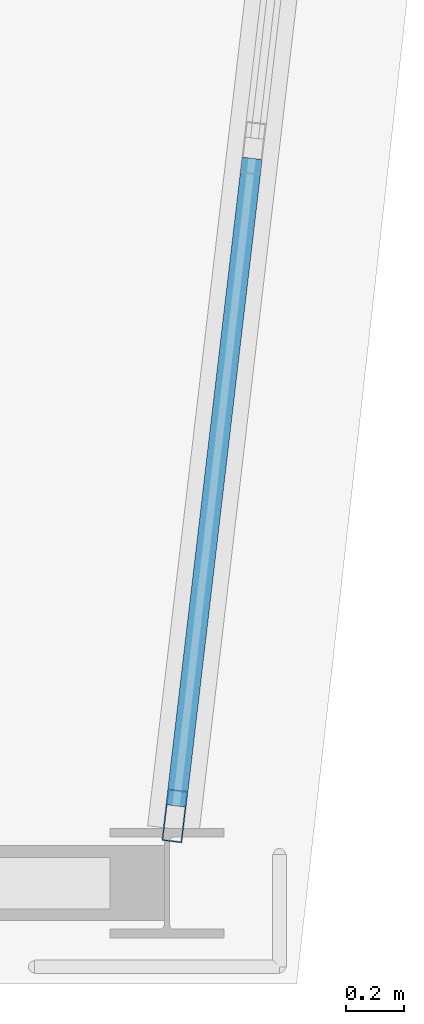
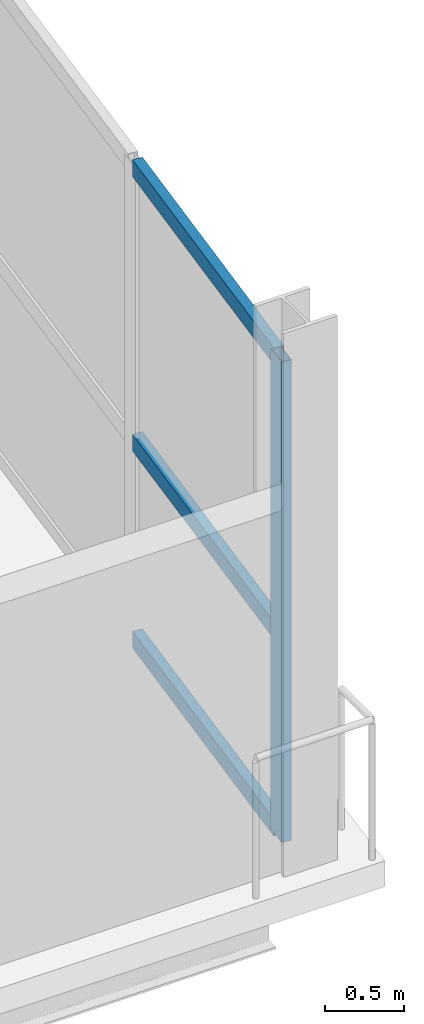
# One storey, part 4 of 36: 4 members, 1 element without a shape of its own.
"""IFC4 building model written with IfcOpenShell, lengths in metres."""

from ifc_helpers import new_model, si_unit, direction, frame, origin, origin_2d, place, context, subcontext, project, spatial, hollow_rectangle, extrude, material, layer, layer_set, material_profile, profile_set, type_object, element, aggregate, save


model = new_model("IFC4")

# Units and contexts
model_context = context("Model", 3, precision=1e-05, world=origin(), true_north=direction((0.0, 1.0)))
body_context = subcontext(model_context, "Body", "Model", "MODEL_VIEW")
ifc_project = project(units=[si_unit("LENGTHUNIT", "METRE"), si_unit("AREAUNIT", "SQUARE_METRE"), si_unit("VOLUMEUNIT", "CUBIC_METRE"), si_unit("PLANEANGLEUNIT", "RADIAN"), si_unit("MASSUNIT", "GRAM", prefix="KILO")], contexts=[model_context])

# Site, building, storey
site_placement = place(None, origin())
site = spatial("IfcSite", under=ifc_project, at=site_placement, CompositionType="ELEMENT")
building_placement = place(site_placement, origin())
building = spatial("IfcBuilding", under=site, at=building_placement, Name="Quillay Park Conservatory", CompositionType="ELEMENT")
storey_placement = place(building_placement, frame((0.0, 0.0, 18.300048828125)))
storey = spatial("IfcBuildingStorey", under=building, at=storey_placement, Name="L04", CompositionType="ELEMENT", Elevation=18.300048828125)

# Curtain wall, members
ifc_material_1 = material(Name="Thermally Broken Anodised Aluminium 6063-T6", Category="aluminium")
ifc_layer = layer(ifc_material_1, 0.179931640625)
ifc_layer_set = layer_set([ifc_layer], Name="UNITISED CURTAIN WALL TOWER (Thermally Broken Anodised Aluminium 6063-T6)")
curtain_wall_type = type_object("IfcCurtainWallType", Name="UNITISED CURTAIN WALL TOWER", PredefinedType="USERDEFINED", material=ifc_layer_set)
curtain_wall_placement = place(storey_placement, origin())
curtain_wall = element("IfcCurtainWall", 1, at=curtain_wall_placement, inside=storey, type_object=curtain_wall_type, Name="L04 Unitised Curtain Wall 038", ObjectType="UNITISED CURTAIN WALL", PredefinedType="USERDEFINED")
ifc_material_2 = material(Name="Thermally Broken Anodised Aluminium 6063-T6", Category="aluminium")
ifc_material_profile_1 = material_profile(ifc_material_2, hollow_rectangle(XDim=0.070068359375, YDim=0.179931640625, WallThickness=0.00390625, at=origin_2d()), Name="AL70x180x4")
ifc_profile_set_1 = profile_set([ifc_material_profile_1], Name="Thermally Broken Anodised Aluminium 6063-T6")
member_type_1 = type_object("IfcMemberType", Name="CURTAIN WALL MULLION 70 X180", PredefinedType="MULLION", material=ifc_profile_set_1)
member_1_placement = place(storey_placement, frame((27.952392578125, 63.283447265625, 0.0), z_axis=(0.0, 0.0, 1.0), x_axis=(0.993172502804, -0.116654959918, 0.0)))
member_1 = element("IfcMember", 2, at=member_1_placement, type_object=member_type_1, Name="CW-T1 mullion 4", PredefinedType="MULLION", context=body_context, shape_type="SweptSolid", body=[
    extrude(hollow_rectangle(XDim=0.070068359375, YDim=0.179931640625, WallThickness=0.00390625, at=origin_2d()), origin(), (0.0, 0.0, 1.0), 3.7119140625),
])
ifc_material_3 = material(Name="Thermally Broken Anodised Aluminium 6063-T6", Category="aluminium")
ifc_material_profile_2 = material_profile(ifc_material_3, hollow_rectangle(XDim=0.070068359375, YDim=0.1298828125, WallThickness=0.003173828125, at=origin_2d()), Name="AL70x130x3.2")
ifc_profile_set_2 = profile_set([ifc_material_profile_2], Name="Thermally Broken Anodised Aluminium 6063-T6")
member_type_2 = type_object("IfcMemberType", Name="CURTAIN WALL TRANSOM 70 X130", PredefinedType="USERDEFINED", material=ifc_profile_set_2)
member_2_placement = place(storey_placement, frame((28.220458984375, 65.564697265625, 0.034912109375), z_axis=(-0.116672168054, -0.993170481439, 0.0), x_axis=(0.993170481439, -0.116672168054, 0.0)))
member_2 = element("IfcMember", 3, at=member_2_placement, type_object=member_type_2, Name="CW-T1 transom 3.1", ObjectType="TRANSOM", PredefinedType="USERDEFINED", context=body_context, shape_type="SweptSolid", body=[
    extrude(hollow_rectangle(XDim=0.070068359375, YDim=0.1298828125, WallThickness=0.003173828125, at=origin_2d()), origin(), (0.0, 0.0, 1.0), 2.261962890625),
])
member_3_placement = place(storey_placement, frame((28.220458984375, 65.564697265625, 1.558837890625), z_axis=(-0.116672168054, -0.993170481439, 0.0), x_axis=(0.993170481439, -0.116672168054, 0.0)))
member_3 = element("IfcMember", 4, at=member_3_placement, type_object=member_type_2, Name="CW-T1 transom 3.2", ObjectType="TRANSOM", PredefinedType="USERDEFINED", context=body_context, shape_type="SweptSolid", body=[
    extrude(hollow_rectangle(XDim=0.070068359375, YDim=0.1298828125, WallThickness=0.003173828125, at=origin_2d()), origin(), (0.0, 0.0, 1.0), 2.261962890625),
])
member_4_placement = place(storey_placement, frame((28.220458984375, 65.564697265625, 3.677001953125), z_axis=(-0.116672168054, -0.993170481439, 0.0), x_axis=(0.993170481439, -0.116672168054, 0.0)))
member_4 = element("IfcMember", 5, at=member_4_placement, type_object=member_type_2, Name="CW-T1 transom 3.3", ObjectType="TRANSOM", PredefinedType="USERDEFINED", context=body_context, shape_type="SweptSolid", body=[
    extrude(hollow_rectangle(XDim=0.070068359375, YDim=0.1298828125, WallThickness=0.003173828125, at=origin_2d()), origin(), (0.0, 0.0, 1.0), 2.261962890625),
])
aggregate(curtain_wall, [member_1, member_2, member_3, member_4])

save(model, "model.ifc")
